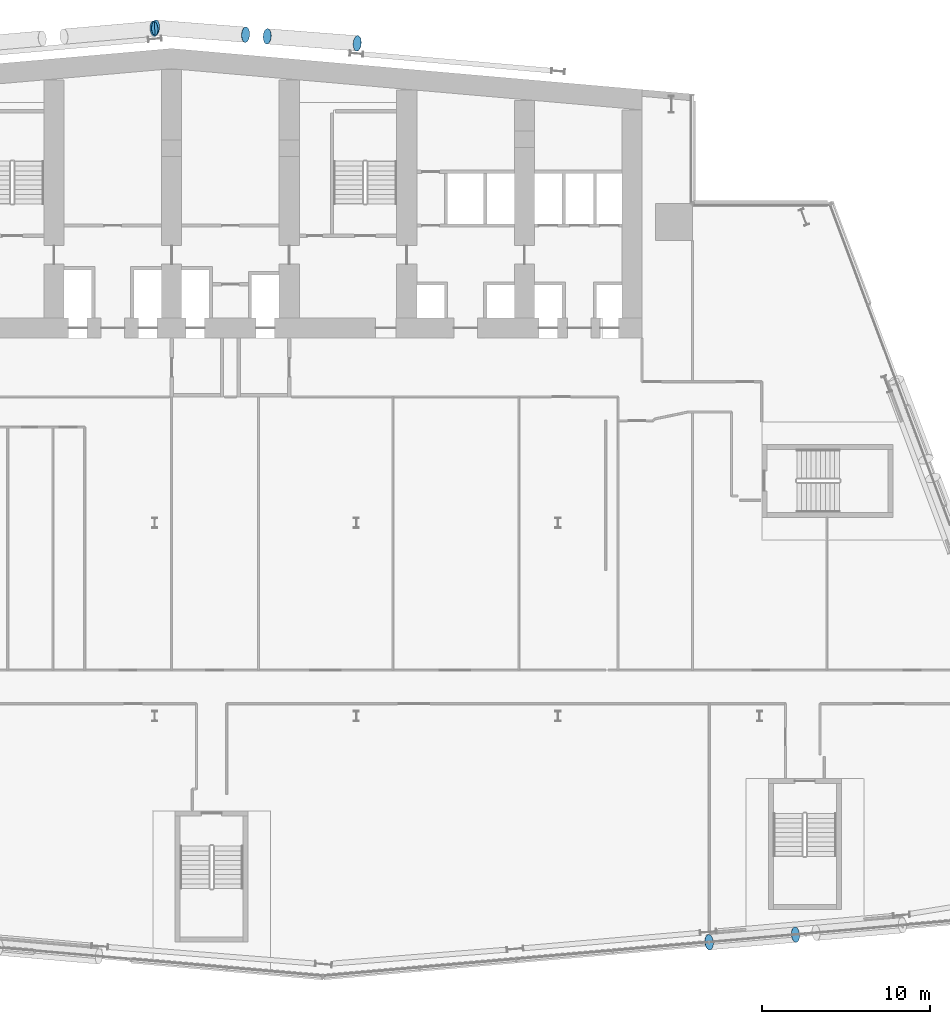
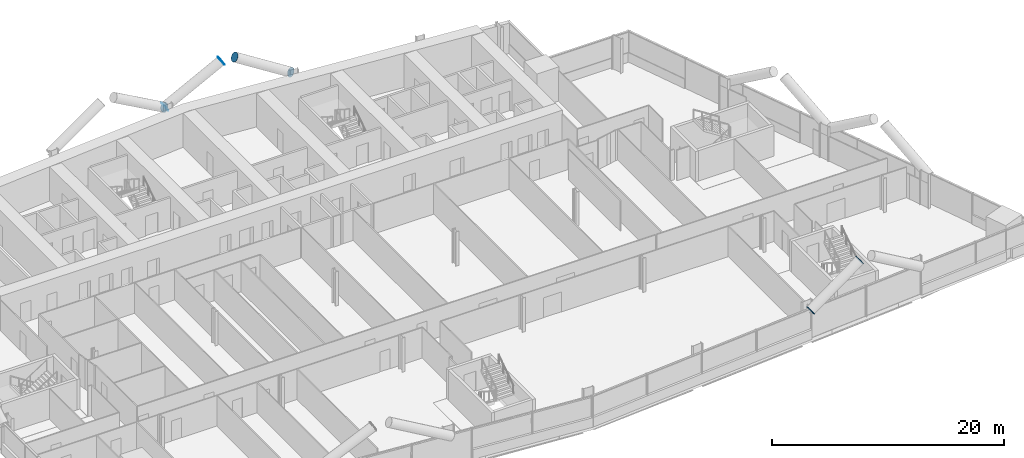
# One storey, part 22 of 27: 7 discrete accessories.
"""IFC4 building model written with IfcOpenShell, lengths in metres."""

from ifc_helpers import new_model, si_unit, direction, frame, origin, origin_2d, place, context, subcontext, project, spatial, circle, extrude, material, material_profile, profile_set, type_object, element, save


model = new_model("IFC4")

# Units and contexts
model_context = context("Model", 3, precision=1e-05, world=origin(), true_north=direction((0.0, 1.0)))
body_context = subcontext(model_context, "Body", "Model", "MODEL_VIEW")
ifc_project = project(units=[si_unit("LENGTHUNIT", "METRE"), si_unit("AREAUNIT", "SQUARE_METRE"), si_unit("VOLUMEUNIT", "CUBIC_METRE"), si_unit("PLANEANGLEUNIT", "RADIAN"), si_unit("MASSUNIT", "GRAM", prefix="KILO")], contexts=[model_context])

# Site, building, storey
site_placement = place(None, origin())
site = spatial("IfcSite", under=ifc_project, at=site_placement, CompositionType="ELEMENT")
building_placement = place(site_placement, origin())
building = spatial("IfcBuilding", under=site, at=building_placement, Name="Wharfspan Tower", CompositionType="ELEMENT")
storey_placement = place(building_placement, frame((0.0, 0.0, 45.100098)))
storey = spatial("IfcBuildingStorey", under=building, at=storey_placement, Name="L07", CompositionType="ELEMENT", Elevation=45.100098)

# Discrete accessories
ifc_material = material(Name="Steel S460NH", Category="steel")
ifc_material_profile = material_profile(ifc_material, circle(Radius=0.457031, at=origin_2d()))
ifc_profile_set = profile_set([ifc_material_profile], Name="Steel S460NH")
discrete_accessory_type = type_object("IfcDiscreteAccessoryType", Name="End plate CHS 914x40", PredefinedType="BRACKET", material=ifc_profile_set)
discrete_accessory_1_placement = place(storey_placement, frame((68.986816, -1.958252, 2.894531), z_axis=(0.837276, 0.073877, 0.541767), x_axis=(-0.087893, 0.996132, -1e-06)))
element("IfcDiscreteAccessory", 1, at=discrete_accessory_1_placement, inside=storey, type_object=discrete_accessory_type, Name="End plate CHS 914x40", PredefinedType="BRACKET", context=body_context, shape_type="SweptSolid", body=[
    extrude(circle(Radius=0.457031, at=origin_2d()), origin(), (0.0, 0.0, 1.0), 0.01001),
])
discrete_accessory_2_placement = place(storey_placement, frame((74.12915, -1.508301, 6.114258), z_axis=(0.848411, 0.07486, 0.524018), x_axis=(-0.087893, 0.996132, -2e-06)))
element("IfcDiscreteAccessory", 2, at=discrete_accessory_2_placement, inside=storey, type_object=discrete_accessory_type, Name="End plate CHS 914x40", PredefinedType="BRACKET", context=body_context, shape_type="SweptSolid", body=[
    extrude(circle(Radius=0.457031, at=origin_2d()), origin(), (0.0, 0.0, 1.0), 0.009766),
])
for number, where, z_axis, x_axis, name in (
    (3, (35.955811, 52.413574, 2.894775), (-0.855186, -0.073302, 0.513112), (0.085402, -0.996345, 1e-06), "End plate CHS 914x40"),
    (4, (36.040039, 52.476807, 2.894775), (0.856465, -0.048941, 0.513879), (0.05705, 0.998372, 0.0), "End plate CHS 914x40"),
    (5, (41.396484, 52.060791, 6.109863), (0.856465, -0.048941, 0.513879), (0.05705, 0.998372, 0.0), "End plate CHS 914x40"),
    (6, (48.052979, 51.543701, 2.894775), (-0.855186, 0.073302, 0.513112), (-0.085402, -0.996345, -1e-06), "End plate CHS 914x40"),
    (7, (42.696533, 51.959961, 6.109863), (-0.856465, 0.048941, 0.513879), (-0.05705, -0.998372, 0.0), "End plate CHS 914x40"),
):
    element("IfcDiscreteAccessory", number, at=place(storey_placement, frame(where, z_axis=z_axis, x_axis=x_axis)), inside=storey, type_object=discrete_accessory_type, Name=name, PredefinedType="BRACKET", context=body_context, shape_type="SweptSolid", body=[
        extrude(circle(Radius=0.457031, at=origin_2d()), origin(), (0.0, 0.0, 1.0), 0.01001),
    ])

save(model, "model.ifc")
